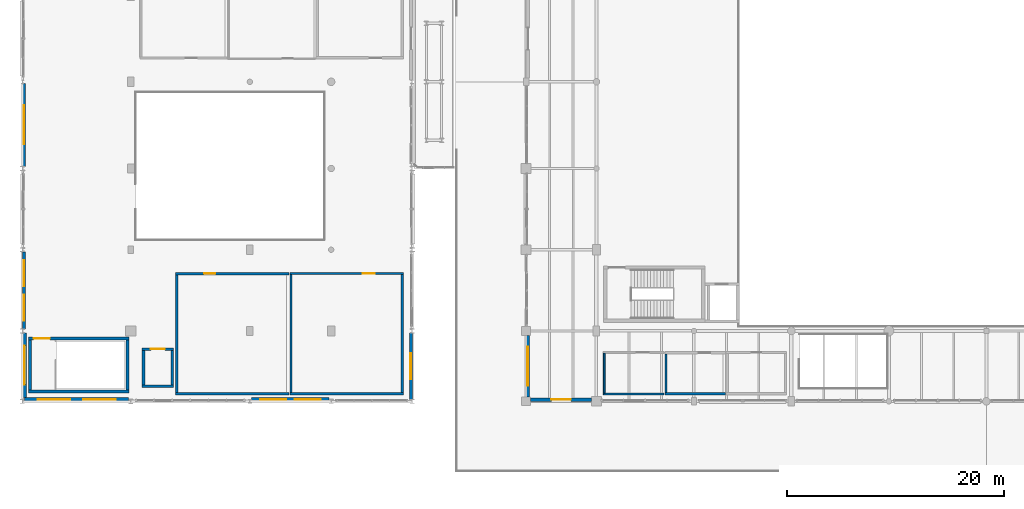
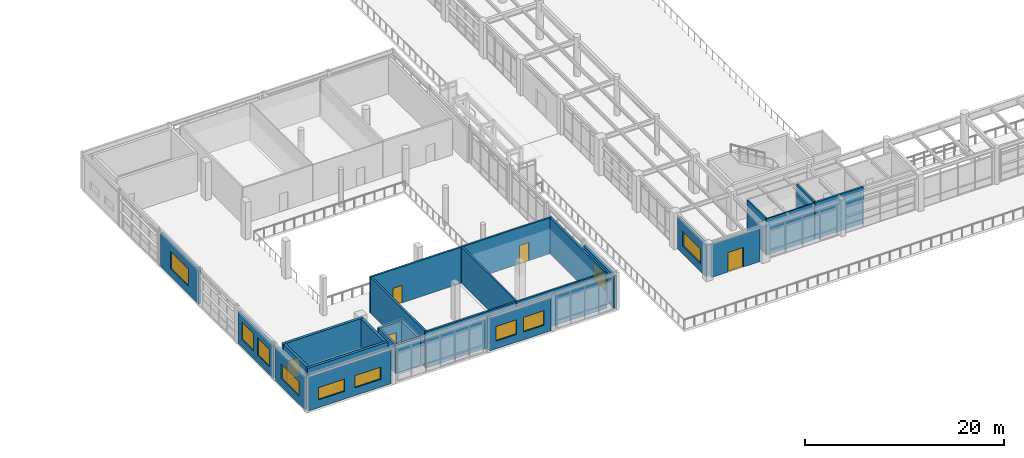
# One storey, part 171 of 200: 27 walls, 10 windows, 5 doors, 15 openings.
"""IFC4 building model written with IfcOpenShell, lengths in metres."""

from ifc_helpers import new_model, si_unit, direction, frame, frame_2d, origin, place, context, subcontext, project, spatial, rectangle, extrude, material, layer, layer_set, type_object, element, fill, save


model = new_model("IFC4")

# Units and contexts
model_context = context("Model", 3, precision=1e-05, world=origin(), true_north=direction((0.0, 1.0)))
body_context = subcontext(model_context, "Body", "Model", "MODEL_VIEW")
ifc_project = project(units=[si_unit("LENGTHUNIT", "METRE"), si_unit("AREAUNIT", "SQUARE_METRE"), si_unit("VOLUMEUNIT", "CUBIC_METRE"), si_unit("PLANEANGLEUNIT", "RADIAN"), si_unit("MASSUNIT", "GRAM", prefix="KILO"), si_unit("THERMODYNAMICTEMPERATUREUNIT", "KELVIN"), si_unit("POWERUNIT", "WATT")], contexts=[model_context])

# Site, building, storey
site_placement = place(None, origin())
site = spatial("IfcSite", under=ifc_project, at=site_placement, CompositionType="ELEMENT")
building_placement = place(site_placement, origin())
building = spatial("IfcBuilding", under=site, at=building_placement, Name="Tepalcoro Natatorium and Aquatics Centre", CompositionType="ELEMENT")
storey_placement = place(building_placement, frame((0.0, 0.0, 5.39990234375)))
storey = spatial("IfcBuildingStorey", under=building, at=storey_placement, Name="L01", CompositionType="ELEMENT", Elevation=5.39990234375)

# Wall, openings, windows
ifc_material_1 = material(Name="Precast Concrete C45/55 (fc 45 MPa)", Category="concrete")
ifc_layer_1 = layer(ifc_material_1, 0.260009765625)
ifc_layer_set_1 = layer_set([ifc_layer_1], Name="Precast Concrete C45/55 (fc 45 MPa)")
wall_type_1 = type_object("IfcWallType", Name="WL_EXT_GABLE_260", PredefinedType="SOLIDWALL", material=ifc_layer_set_1)
wall_1_placement = place(storey_placement, frame((0.1298828125, 13.19189453125, 0.0), z_axis=(0.0, 0.0, 1.0), x_axis=(0.0, 1.0, 0.0)))
wall_1 = element("IfcWall", 1, at=wall_1_placement, inside=storey, type_object=wall_type_1, Name="V3 L01 W Volcanic Basalt Envelope Wall", PredefinedType="SOLIDWALL", context=body_context, shape_type="SweptSolid", body=[
    extrude(rectangle(XDim=7.111083984375, YDim=0.260009765625, at=frame_2d((3.5556640625, 0.0))), origin(), (0.0, 0.0, 1.0), 3.9580078125),
])
opening_1_placement = place(wall_1_placement, frame((0.770263671875, 0.0, 0.949951171875)))
opening_1 = element("IfcOpeningElement", 2, at=opening_1_placement, cuts=wall_1, Name="Opening W0065A", PredefinedType="OPENING", context=body_context, shape_type="SweptSolid", body=[
    extrude(rectangle(XDim=2.39990234375, YDim=2.10009765625, at=frame_2d((1.199951171875, 1.050048828125))), frame((0.0, 0.14208984375, 0.0), z_axis=(0.0, -1.0, 0.0), x_axis=(1.0, 0.0, 0.0)), (0.0, 0.0, 1.0), 0.283935546875),
])
opening_2_placement = place(wall_1_placement, frame((3.940673828125, 0.0, 0.949951171875)))
opening_2 = element("IfcOpeningElement", 3, at=opening_2_placement, cuts=wall_1, Name="Opening W0065B", PredefinedType="OPENING", context=body_context, shape_type="SweptSolid", body=[
    extrude(rectangle(XDim=2.39990234375, YDim=2.10009765625, at=frame_2d((1.199951171875, 1.050048828125))), frame((0.0, 0.14208984375, 0.0), z_axis=(0.0, -1.0, 0.0), x_axis=(1.0, 0.0, 0.0)), (0.0, 0.0, 1.0), 0.283935546875),
])
ifc_material_2 = material(Name="Solar-Control Bronze Tempered Low-E Double Glazing", Category="glass")
window_type_1 = type_object("IfcWindowType", Name="WN_240x210", PartitioningType="SINGLE_PANEL", PredefinedType="WINDOW", material=ifc_material_2)
window_1_placement = place(opening_1_placement, origin())
window_1 = element("IfcWindow", 4, at=window_1_placement, inside=storey, type_object=window_type_1, Name="Exterior Thermal Window WN_240x210", OverallHeight=2.10009765625, OverallWidth=2.39990234375, PartitioningType="SINGLE_PANEL", PredefinedType="WINDOW", context=body_context, shape_type="SweptSolid", body=[
    extrude(rectangle(XDim=2.39990234375, YDim=2.10009765625, at=frame_2d((1.199951171875, 1.050048828125))), frame((0.0, 0.030029296875, 0.0), z_axis=(0.0, -1.0, 0.0), x_axis=(1.0, 0.0, 0.0)), (0.0, 0.0, 1.0), 0.06005859375),
])
fill(opening_1, window_1)
window_2_placement = place(opening_2_placement, origin())
window_2 = element("IfcWindow", 5, at=window_2_placement, inside=storey, type_object=window_type_1, Name="Exterior Thermal Window WN_240x210", OverallHeight=2.10009765625, OverallWidth=2.39990234375, PartitioningType="SINGLE_PANEL", PredefinedType="WINDOW", context=body_context, shape_type="SweptSolid", body=[
    extrude(rectangle(XDim=2.39990234375, YDim=2.10009765625, at=frame_2d((1.199951171875, 1.050048828125))), frame((0.0, 0.030029296875, 0.0), z_axis=(0.0, -1.0, 0.0), x_axis=(1.0, 0.0, 0.0)), (0.0, 0.0, 1.0), 0.06005859375),
])
fill(opening_2, window_2)

# Wall, opening, window
ifc_layer_2 = layer(ifc_material_1, 0.284912109375)
ifc_layer_set_2 = layer_set([ifc_layer_2], Name="Precast Concrete C45/55 (fc 45 MPa)")
wall_type_2 = type_object("IfcWallType", Name="WL_EXT_INSUL_280", PredefinedType="SOLIDWALL", material=ifc_layer_set_2)
wall_2_placement = place(storey_placement, frame((35.857421875, 6.68798828125, 0.0), z_axis=(0.0, 0.0, 1.0), x_axis=(0.0, 1.0, 0.0)))
wall_2 = element("IfcWall", 6, at=wall_2_placement, inside=storey, type_object=wall_type_2, Name="V3 L01 E Volcanic Basalt Envelope Wall", PredefinedType="SOLIDWALL", context=body_context, shape_type="SweptSolid", body=[
    extrude(rectangle(XDim=6.1201171875, YDim=0.284912109375, at=frame_2d((3.06005859375, 0.0))), origin(), (0.0, 0.0, 1.0), 4.0341796875),
])
opening_3_placement = place(wall_2_placement, frame((1.860107421875, 0.0, 0.949951171875)))
opening_3 = element("IfcOpeningElement", 7, at=opening_3_placement, cuts=wall_2, Name="Opening W0068", PredefinedType="OPENING", context=body_context, shape_type="SweptSolid", body=[
    extrude(rectangle(XDim=2.39990234375, YDim=2.10009765625, at=frame_2d((1.199951171875, 1.050048828125))), frame((0.0, 0.154296875, 0.0), z_axis=(0.0, -1.0, 0.0), x_axis=(1.0, 0.0, 0.0)), (0.0, 0.0, 1.0), 0.308837890625),
])
window_3_placement = place(opening_3_placement, origin())
window_3 = element("IfcWindow", 8, at=window_3_placement, inside=storey, type_object=window_type_1, Name="Exterior Thermal Window WN_240x210", OverallHeight=2.10009765625, OverallWidth=2.39990234375, PartitioningType="SINGLE_PANEL", PredefinedType="WINDOW", context=body_context, shape_type="SweptSolid", body=[
    extrude(rectangle(XDim=2.39990234375, YDim=2.10009765625, at=frame_2d((1.199951171875, 1.050048828125))), frame((0.0, 0.030029296875, 0.0), z_axis=(0.0, -1.0, 0.0), x_axis=(1.0, 0.0, 0.0)), (0.0, 0.0, 1.0), 0.06005859375),
])
fill(opening_3, window_3)

# Wall, opening, door
ifc_material_3 = material(Name="Jalisco Cantera Rosa Volcanic Tuff Ashlar Masonry", Category="masonry")
ifc_layer_3 = layer(ifc_material_3, 0.320068359375)
ifc_layer_set_3 = layer_set([ifc_layer_3], Name="Jalisco Cantera Rosa Volcanic Tuff Ashlar Masonry")
wall_type_3 = type_object("IfcWallType", Name="WL_EXT_STONE_320", PredefinedType="SOLIDWALL", material=ifc_layer_set_3)
wall_3_placement = place(storey_placement, frame((46.904052734375, 6.659912109375, 0.0), z_axis=(0.0, 0.0, 1.0), x_axis=(1.0, 0.0, 0.0)))
wall_3 = element("IfcWall", 9, at=wall_3_placement, inside=storey, type_object=wall_type_3, Name="V1 L01 S Volcanic Basalt Envelope Wall", PredefinedType="SOLIDWALL", context=body_context, shape_type="SweptSolid", body=[
    extrude(rectangle(XDim=5.641845703125, YDim=0.320068359375, at=frame_2d((2.82080078125, 0.0))), origin(), (0.0, 0.0, 1.0), 3.989990234375),
])
opening_4_placement = place(wall_3_placement, frame((1.9208984375, 0.0, 0.0)))
opening_4 = element("IfcOpeningElement", 10, at=opening_4_placement, cuts=wall_3, Name="Opening ED5009", PredefinedType="OPENING", context=body_context, shape_type="SweptSolid", body=[
    extrude(rectangle(XDim=1.800048828125, YDim=2.39990234375, at=frame_2d((0.89990234375, 1.199951171875))), frame((0.0, 0.171875, 0.0), z_axis=(0.0, -1.0, 0.0), x_axis=(1.0, 0.0, 0.0)), (0.0, 0.0, 1.0), 0.343994140625),
])
ifc_material_4 = material(Name="Bronze-Anodised Extruded Aluminium Alloy EN AW-6063 T6", Category="aluminium")
door_type_1 = type_object("IfcDoorType", Name="DR_180x240_TERR", OperationType="NOTDEFINED", PredefinedType="DOOR", material=ifc_material_4)
door_1_placement = place(opening_4_placement, frame((1.800048828125, 0.0, 0.0), z_axis=(0.0, 0.0, 1.0), x_axis=(-1.0, 0.0, 0.0)))
door_1 = element("IfcDoor", 11, at=door_1_placement, inside=storey, type_object=door_type_1, Name="L01 South Planted Terrace Door W", OperationType="DOUBLE_DOOR_SINGLE_SWING", OverallHeight=2.39990234375, OverallWidth=1.800048828125, PredefinedType="DOOR", context=body_context, shape_type="SweptSolid", body=[
    extrude(rectangle(XDim=1.800048828125, YDim=2.39990234375, at=frame_2d((0.89990234375, 1.199951171875))), frame((0.0, 0.02490234375, 0.0), z_axis=(0.0, -1.0, 0.0), x_axis=(1.0, 0.0, 0.0)), (0.0, 0.0, 1.0), 0.050048828125),
])
fill(opening_4, door_1)

# Wall, opening, window
wall_4_placement = place(storey_placement, frame((46.659912109375, 6.904052734375, 0.0), z_axis=(0.0, 0.0, 1.0), x_axis=(0.0, 1.0, 0.0)))
wall_4 = element("IfcWall", 12, at=wall_4_placement, inside=storey, type_object=wall_type_3, Name="V1 L01 W Volcanic Basalt Envelope Wall", PredefinedType="SOLIDWALL", context=body_context, shape_type="SweptSolid", body=[
    extrude(rectangle(XDim=5.6669921875, YDim=0.320068359375, at=frame_2d((2.83349609375, 0.0))), origin(), (0.0, 0.0, 1.0), 3.9140625),
])
opening_5_placement = place(wall_4_placement, frame((1.033447265625, 0.0, 0.949951171875)))
opening_5 = element("IfcOpeningElement", 13, at=opening_5_placement, cuts=wall_4, Name="Opening W0013", PredefinedType="OPENING", context=body_context, shape_type="SweptSolid", body=[
    extrude(rectangle(XDim=3.60009765625, YDim=1.800048828125, at=frame_2d((1.800048828125, 0.89990234375))), frame((0.0, 0.171875, 0.0), z_axis=(0.0, -1.0, 0.0), x_axis=(1.0, 0.0, 0.0)), (0.0, 0.0, 1.0), 0.343994140625),
])
window_type_2 = type_object("IfcWindowType", Name="WN_360x180", PartitioningType="SINGLE_PANEL", PredefinedType="WINDOW", material=ifc_material_2)
window_4_placement = place(opening_5_placement, origin())
window_4 = element("IfcWindow", 14, at=window_4_placement, inside=storey, type_object=window_type_2, Name="Exterior Thermal Window WN_360x180", OverallHeight=1.800048828125, OverallWidth=3.60009765625, PartitioningType="SINGLE_PANEL", PredefinedType="WINDOW", context=body_context, shape_type="SweptSolid", body=[
    extrude(rectangle(XDim=3.60009765625, YDim=1.800048828125, at=frame_2d((1.800048828125, 0.89990234375))), frame((0.0, 0.030029296875, 0.0), z_axis=(0.0, -1.0, 0.0), x_axis=(1.0, 0.0, 0.0)), (0.0, 0.0, 1.0), 0.06005859375),
])
fill(opening_5, window_4)

# Wall, openings, windows
ifc_material_5 = material(Name="Volcanic Recinto Basalt Ashlar Masonry", Category="masonry")
ifc_layer_4 = layer(ifc_material_5, 0.360107421875)
ifc_layer_set_4 = layer_set([ifc_layer_4], Name="Volcanic Recinto Basalt Ashlar Masonry")
wall_type_4 = type_object("IfcWallType", Name="WL_EXT_STONE_350", PredefinedType="SOLIDWALL", material=ifc_layer_set_4)
wall_5_placement = place(storey_placement, frame((0.1904296875, 6.679931640625, 0.0), z_axis=(0.0, 0.0, 1.0), x_axis=(1.0, 0.0, 0.0)))
wall_5 = element("IfcWall", 15, at=wall_5_placement, inside=storey, type_object=wall_type_4, Name="V3 L01 S Volcanic Basalt Envelope Wall", PredefinedType="SOLIDWALL", context=body_context, shape_type="SweptSolid", body=[
    extrude(rectangle(XDim=9.60498046875, YDim=0.360107421875, at=frame_2d((4.802490234375, 0.0))), origin(), (0.0, 0.0, 1.0), 4.110107421875),
])
opening_6_placement = place(wall_5_placement, frame((1.20166015625, 0.0, 0.949951171875)))
opening_6 = element("IfcOpeningElement", 16, at=opening_6_placement, cuts=wall_5, Name="Opening W0060A", PredefinedType="OPENING", context=body_context, shape_type="SweptSolid", body=[
    extrude(rectangle(XDim=3.0, YDim=1.5, at=frame_2d((1.5, 0.75))), frame((0.0, 0.19189453125, 0.0), z_axis=(0.0, -1.0, 0.0), x_axis=(1.0, 0.0, 0.0)), (0.0, 0.0, 1.0), 0.384033203125),
])
opening_7_placement = place(wall_5_placement, frame((5.4033203125, 0.0, 0.949951171875)))
opening_7 = element("IfcOpeningElement", 17, at=opening_7_placement, cuts=wall_5, Name="Opening W0060B", PredefinedType="OPENING", context=body_context, shape_type="SweptSolid", body=[
    extrude(rectangle(XDim=3.0, YDim=1.5, at=frame_2d((1.5, 0.75))), frame((0.0, 0.19189453125, 0.0), z_axis=(0.0, -1.0, 0.0), x_axis=(1.0, 0.0, 0.0)), (0.0, 0.0, 1.0), 0.384033203125),
])
window_type_3 = type_object("IfcWindowType", Name="WN_300x150", PartitioningType="SINGLE_PANEL", PredefinedType="WINDOW", material=ifc_material_2)
window_5_placement = place(opening_6_placement, origin())
window_5 = element("IfcWindow", 18, at=window_5_placement, inside=storey, type_object=window_type_3, Name="Exterior Thermal Window WN_300x150", OverallHeight=1.5, OverallWidth=3.0, PartitioningType="SINGLE_PANEL", PredefinedType="WINDOW", context=body_context, shape_type="SweptSolid", body=[
    extrude(rectangle(XDim=3.0, YDim=1.5, at=frame_2d((1.5, 0.75))), frame((0.0, 0.030029296875, 0.0), z_axis=(0.0, -1.0, 0.0), x_axis=(1.0, 0.0, 0.0)), (0.0, 0.0, 1.0), 0.06005859375),
])
fill(opening_6, window_5)
window_6_placement = place(opening_7_placement, origin())
window_6 = element("IfcWindow", 19, at=window_6_placement, inside=storey, type_object=window_type_3, Name="Exterior Thermal Window WN_300x150", OverallHeight=1.5, OverallWidth=3.0, PartitioningType="SINGLE_PANEL", PredefinedType="WINDOW", context=body_context, shape_type="SweptSolid", body=[
    extrude(rectangle(XDim=3.0, YDim=1.5, at=frame_2d((1.5, 0.75))), frame((0.0, 0.030029296875, 0.0), z_axis=(0.0, -1.0, 0.0), x_axis=(1.0, 0.0, 0.0)), (0.0, 0.0, 1.0), 0.06005859375),
])
fill(opening_7, window_6)

wall_6_placement = place(storey_placement, frame((21.158935546875, 6.679931640625, 0.0), z_axis=(0.0, 0.0, 1.0), x_axis=(1.0, 0.0, 0.0)))
wall_6 = element("IfcWall", 20, at=wall_6_placement, inside=storey, type_object=wall_type_4, Name="V3 L01 S Volcanic Basalt Envelope Wall", PredefinedType="SOLIDWALL", context=body_context, shape_type="SweptSolid", body=[
    extrude(rectangle(XDim=7.150146484375, YDim=0.360107421875, at=frame_2d((3.5751953125, 0.0))), origin(), (0.0, 0.0, 1.0), 3.9580078125),
])
opening_8_placement = place(wall_6_placement, frame((0.783203125, 0.0, 0.949951171875)))
opening_8 = element("IfcOpeningElement", 21, at=opening_8_placement, cuts=wall_6, Name="Opening W0061A", PredefinedType="OPENING", context=body_context, shape_type="SweptSolid", body=[
    extrude(rectangle(XDim=2.39990234375, YDim=1.800048828125, at=frame_2d((1.199951171875, 0.89990234375))), frame((0.0, 0.19189453125, 0.0), z_axis=(0.0, -1.0, 0.0), x_axis=(1.0, 0.0, 0.0)), (0.0, 0.0, 1.0), 0.384033203125),
])
opening_9_placement = place(wall_6_placement, frame((3.966796875, 0.0, 0.949951171875)))
opening_9 = element("IfcOpeningElement", 22, at=opening_9_placement, cuts=wall_6, Name="Opening W0061B", PredefinedType="OPENING", context=body_context, shape_type="SweptSolid", body=[
    extrude(rectangle(XDim=2.39990234375, YDim=1.800048828125, at=frame_2d((1.199951171875, 0.89990234375))), frame((0.0, 0.19189453125, 0.0), z_axis=(0.0, -1.0, 0.0), x_axis=(1.0, 0.0, 0.0)), (0.0, 0.0, 1.0), 0.384033203125),
])
window_type_4 = type_object("IfcWindowType", Name="WN_240x180", PartitioningType="SINGLE_PANEL", PredefinedType="WINDOW", material=ifc_material_2)
window_7_placement = place(opening_8_placement, origin())
window_7 = element("IfcWindow", 23, at=window_7_placement, inside=storey, type_object=window_type_4, Name="Exterior Thermal Window WN_240x180", OverallHeight=1.800048828125, OverallWidth=2.39990234375, PartitioningType="SINGLE_PANEL", PredefinedType="WINDOW", context=body_context, shape_type="SweptSolid", body=[
    extrude(rectangle(XDim=2.39990234375, YDim=1.800048828125, at=frame_2d((1.199951171875, 0.89990234375))), frame((0.0, 0.030029296875, 0.0), z_axis=(0.0, -1.0, 0.0), x_axis=(1.0, 0.0, 0.0)), (0.0, 0.0, 1.0), 0.06005859375),
])
fill(opening_8, window_7)
window_8_placement = place(opening_9_placement, origin())
window_8 = element("IfcWindow", 24, at=window_8_placement, inside=storey, type_object=window_type_4, Name="Exterior Thermal Window WN_240x180", OverallHeight=1.800048828125, OverallWidth=2.39990234375, PartitioningType="SINGLE_PANEL", PredefinedType="WINDOW", context=body_context, shape_type="SweptSolid", body=[
    extrude(rectangle(XDim=2.39990234375, YDim=1.800048828125, at=frame_2d((1.199951171875, 0.89990234375))), frame((0.0, 0.030029296875, 0.0), z_axis=(0.0, -1.0, 0.0), x_axis=(1.0, 0.0, 0.0)), (0.0, 0.0, 1.0), 0.06005859375),
])
fill(opening_9, window_8)

# Wall, opening, window
wall_7_placement = place(storey_placement, frame((0.179931640625, 6.864013671875, 0.0), z_axis=(0.0, 0.0, 1.0), x_axis=(0.0, 1.0, 0.0)))
wall_7 = element("IfcWall", 25, at=wall_7_placement, inside=storey, type_object=wall_type_4, Name="V3 L01 W Volcanic Basalt Envelope Wall", PredefinedType="SOLIDWALL", context=body_context, shape_type="SweptSolid", body=[
    extrude(rectangle(XDim=5.944091796875, YDim=0.360107421875, at=frame_2d((2.97216796875, 0.0))), origin(), (0.0, 0.0, 1.0), 4.0341796875),
])
opening_10_placement = place(wall_7_placement, frame((1.172119140625, 0.0, 0.949951171875)))
opening_10 = element("IfcOpeningElement", 26, at=opening_10_placement, cuts=wall_7, Name="Opening W0064", PredefinedType="OPENING", context=body_context, shape_type="SweptSolid", body=[
    extrude(rectangle(XDim=3.60009765625, YDim=1.800048828125, at=frame_2d((1.800048828125, 0.89990234375))), frame((0.0, 0.19189453125, 0.0), z_axis=(0.0, -1.0, 0.0), x_axis=(1.0, 0.0, 0.0)), (0.0, 0.0, 1.0), 0.384033203125),
])
window_9_placement = place(opening_10_placement, origin())
window_9 = element("IfcWindow", 27, at=window_9_placement, inside=storey, type_object=window_type_2, Name="Exterior Thermal Window WN_360x180", OverallHeight=1.800048828125, OverallWidth=3.60009765625, PartitioningType="SINGLE_PANEL", PredefinedType="WINDOW", context=body_context, shape_type="SweptSolid", body=[
    extrude(rectangle(XDim=3.60009765625, YDim=1.800048828125, at=frame_2d((1.800048828125, 0.89990234375))), frame((0.0, 0.030029296875, 0.0), z_axis=(0.0, -1.0, 0.0), x_axis=(1.0, 0.0, 0.0)), (0.0, 0.0, 1.0), 0.06005859375),
])
fill(opening_10, window_9)

ifc_layer_5 = layer(ifc_material_3, 0.304931640625)
ifc_layer_set_5 = layer_set([ifc_layer_5], Name="Jalisco Cantera Rosa Volcanic Tuff Ashlar Masonry")
wall_type_5 = type_object("IfcWallType", Name="WL_EXT_TERRACOTTA_300", PredefinedType="SOLIDWALL", material=ifc_layer_set_5)
wall_8_placement = place(storey_placement, frame((0.152587890625, 28.20361328125, 0.0), z_axis=(0.0, 0.0, 1.0), x_axis=(0.0, 1.0, 0.0)))
wall_8 = element("IfcWall", 28, at=wall_8_placement, inside=storey, type_object=wall_type_5, Name="V3 L01 W Volcanic Basalt Envelope Wall", PredefinedType="SOLIDWALL", context=body_context, shape_type="SweptSolid", body=[
    extrude(rectangle(XDim=7.638916015625, YDim=0.304931640625, at=frame_2d((3.8193359375, 0.0))), origin(), (0.0, 0.0, 1.0), 4.110107421875),
])
opening_11_placement = place(wall_8_placement, frame((2.01953125, 0.0, 0.949951171875)))
opening_11 = element("IfcOpeningElement", 29, at=opening_11_placement, cuts=wall_8, Name="Opening W0066", PredefinedType="OPENING", context=body_context, shape_type="SweptSolid", body=[
    extrude(rectangle(XDim=3.60009765625, YDim=2.10009765625, at=frame_2d((1.800048828125, 1.050048828125))), frame((0.0, 0.16455078125, 0.0), z_axis=(0.0, -1.0, 0.0), x_axis=(1.0, 0.0, 0.0)), (0.0, 0.0, 1.0), 0.328857421875),
])
window_type_5 = type_object("IfcWindowType", Name="WN_360x210", PartitioningType="SINGLE_PANEL", PredefinedType="WINDOW", material=ifc_material_2)
window_10_placement = place(opening_11_placement, origin())
window_10 = element("IfcWindow", 30, at=window_10_placement, inside=storey, type_object=window_type_5, Name="Exterior Thermal Window WN_360x210", OverallHeight=2.10009765625, OverallWidth=3.60009765625, PartitioningType="SINGLE_PANEL", PredefinedType="WINDOW", context=body_context, shape_type="SweptSolid", body=[
    extrude(rectangle(XDim=3.60009765625, YDim=2.10009765625, at=frame_2d((1.800048828125, 1.050048828125))), frame((0.0, 0.030029296875, 0.0), z_axis=(0.0, -1.0, 0.0), x_axis=(1.0, 0.0, 0.0)), (0.0, 0.0, 1.0), 0.06005859375),
])
fill(opening_11, window_10)

# Walls
ifc_material_6 = material(Name="Moisture-Resistant Acoustic Gypsum Drywall on Cold-Formed Metal Studs")
ifc_layer_6 = layer(ifc_material_6, 0.14990234375)
ifc_layer_set_6 = layer_set([ifc_layer_6], Name="Moisture-Resistant Acoustic Gypsum Drywall on Cold-Formed Metal Studs")
wall_type_6 = type_object("IfcWallType", Name="WL_PART_150_AC", PredefinedType="PARTITIONING", material=ifc_layer_set_6)
wall_9_placement = place(storey_placement, frame((53.639892578125, 7.175048828125, 0.0), z_axis=(0.0, 0.0, 1.0), x_axis=(1.0, 0.0, 0.0)))
element("IfcWall", 31, at=wall_9_placement, inside=storey, type_object=wall_type_6, Name="South Concourse Refreshment Kiosk West Partition S", PredefinedType="PARTITIONING", context=body_context, shape_type="SweptSolid", body=[
    extrude(rectangle(XDim=5.587158203125, YDim=0.14990234375, at=frame_2d((2.79345703125, 0.0))), origin(), (0.0, 0.0, 1.0), 4.465087890625),
])
wall_10_placement = place(storey_placement, frame((53.715087890625, 7.25, 0.0), z_axis=(0.0, 0.0, 1.0), x_axis=(0.0, 1.0, 0.0)))
element("IfcWall", 32, at=wall_10_placement, inside=storey, type_object=wall_type_6, Name="South Concourse Refreshment Kiosk West Partition W", PredefinedType="PARTITIONING", context=body_context, shape_type="SweptSolid", body=[
    extrude(rectangle(XDim=3.699951171875, YDim=0.14990234375, at=frame_2d((1.85009765625, 0.0))), origin(), (0.0, 0.0, 1.0), 4.465087890625),
])
ifc_material_7 = material(Name="Ceramic-Tiled Moisture-Resistant Masonry Blockwork", Category="masonry")
ifc_layer_7 = layer(ifc_material_7, 0.199951171875)
ifc_layer_set_7 = layer_set([ifc_layer_7], Name="Ceramic-Tiled Moisture-Resistant Masonry Blockwork")
wall_type_7 = type_object("IfcWallType", Name="WL_PLUMB_200", PredefinedType="PLUMBINGWALL", material=ifc_layer_set_7)
wall_11_placement = place(storey_placement, frame((24.68994140625, 7.199951171875, 0.0), z_axis=(0.0, 0.0, 1.0), x_axis=(1.0, 0.0, 0.0)))
element("IfcWall", 33, at=wall_11_placement, inside=storey, type_object=wall_type_7, Name="Herbal Tepidarium & Cold Plunge Relaxation Hall Partition S", PredefinedType="PLUMBINGWALL", context=body_context, shape_type="SweptSolid", body=[
    extrude(rectangle(XDim=10.469970703125, YDim=0.199951171875, at=frame_2d((5.23486328125, 0.0))), origin(), (0.0, 0.0, 1.0), 4.43505859375),
])

# Wall, opening, door
wall_12_placement = place(storey_placement, frame((24.68994140625, 18.300048828125, 0.0), z_axis=(0.0, 0.0, 1.0), x_axis=(1.0, 0.0, 0.0)))
wall_12 = element("IfcWall", 34, at=wall_12_placement, inside=storey, type_object=wall_type_7, Name="Herbal Tepidarium & Cold Plunge Relaxation Hall Partition N", PredefinedType="PLUMBINGWALL", context=body_context, shape_type="SweptSolid", body=[
    extrude(rectangle(XDim=10.469970703125, YDim=0.199951171875, at=frame_2d((5.23486328125, 0.0))), origin(), (0.0, 0.0, 1.0), 4.43505859375),
])
opening_12_placement = place(wall_12_placement, frame((6.75244140625, 0.0, 0.0)))
opening_12 = element("IfcOpeningElement", 35, at=opening_12_placement, cuts=wall_12, Name="Opening D0131", PredefinedType="OPENING", context=body_context, shape_type="SweptSolid", body=[
    extrude(rectangle(XDim=1.10009765625, YDim=2.25, at=frame_2d((0.550048828125, 1.125))), frame((0.0, 0.11181640625, 0.0), z_axis=(0.0, -1.0, 0.0), x_axis=(1.0, 0.0, 0.0)), (0.0, 0.0, 1.0), 0.223876953125),
])
ifc_material_8 = material(Name="Solid-Core Moisture-Sealed Oak Timber Leaf in Aluminium Frame", Category="wood")
door_type_2 = type_object("IfcDoorType", Name="DR_110x225", OperationType="NOTDEFINED", PredefinedType="DOOR", material=ifc_material_8)
door_2_placement = place(opening_12_placement, frame((1.10009765625, 0.0, 0.0), z_axis=(0.0, 0.0, 1.0), x_axis=(-1.0, 0.0, 0.0)))
door_2 = element("IfcDoor", 36, at=door_2_placement, inside=storey, type_object=door_type_2, Name="Herbal Tepidarium & Cold Plunge Relaxation Hall Door", OperationType="SINGLE_SWING_RIGHT", OverallHeight=2.25, OverallWidth=1.10009765625, PredefinedType="DOOR", context=body_context, shape_type="SweptSolid", body=[
    extrude(rectangle(XDim=1.10009765625, YDim=2.25, at=frame_2d((0.550048828125, 1.125))), frame((0.0, 0.02490234375, 0.0), z_axis=(0.0, -1.0, 0.0), x_axis=(1.0, 0.0, 0.0)), (0.0, 0.0, 1.0), 0.050048828125),
])
fill(opening_12, door_2)

# Walls
for number, where, z_axis, x_axis, name in (
    (37, (35.06005859375, 7.300048828125, 0.0), (0.0, 0.0, 1.0), (0.0, 1.0, 0.0), "Herbal Tepidarium & Cold Plunge Relaxation Hall Partition E"),
    (38, (24.7900390625, 7.300048828125, 0.0), (0.0, 0.0, 1.0), (0.0, 1.0, 0.0), "Herbal Tepidarium & Cold Plunge Relaxation Hall Partition W"),
):
    element("IfcWall", number, at=place(storey_placement, frame(where, z_axis=z_axis, x_axis=x_axis)), inside=storey, type_object=wall_type_7, Name=name, PredefinedType="PLUMBINGWALL", context=body_context, shape_type="SweptSolid", body=[
        extrude(rectangle(XDim=10.89990234375, YDim=0.199951171875, at=frame_2d((5.449951171875, 0.0))), origin(), (0.0, 0.0, 1.0), 4.43505859375),
    ])
ifc_layer_8 = layer(ifc_material_7, 0.219970703125)
ifc_layer_set_8 = layer_set([ifc_layer_8], Name="Ceramic-Tiled Moisture-Resistant Masonry Blockwork")
wall_type_8 = type_object("IfcWallType", Name="WL_PLUMB_220", PredefinedType="PLUMBINGWALL", material=ifc_layer_set_8)
wall_13_placement = place(storey_placement, frame((59.306884765625, 7.2099609375, 0.0), z_axis=(0.0, 0.0, 1.0), x_axis=(1.0, 0.0, 0.0)))
element("IfcWall", 39, at=wall_13_placement, inside=storey, type_object=wall_type_8, Name="Spectator Male & Female Toilets SW Partition S", PredefinedType="PLUMBINGWALL", context=body_context, shape_type="SweptSolid", body=[
    extrude(rectangle(XDim=5.586181640625, YDim=0.219970703125, at=frame_2d((2.79296875, 0.0))), origin(), (0.0, 0.0, 1.0), 4.465087890625),
])
wall_14_placement = place(storey_placement, frame((59.4169921875, 7.320068359375, 0.0), z_axis=(0.0, 0.0, 1.0), x_axis=(0.0, 1.0, 0.0)))
element("IfcWall", 40, at=wall_14_placement, inside=storey, type_object=wall_type_8, Name="Spectator Male & Female Toilets SW Partition W", PredefinedType="PLUMBINGWALL", context=body_context, shape_type="SweptSolid", body=[
    extrude(rectangle(XDim=3.559814453125, YDim=0.219970703125, at=frame_2d((1.77978515625, 0.0))), origin(), (0.0, 0.0, 1.0), 4.465087890625),
])
wall_15_placement = place(storey_placement, frame((14.139892578125, 7.2099609375, 0.0), z_axis=(0.0, 0.0, 1.0), x_axis=(1.0, 0.0, 0.0)))
element("IfcWall", 41, at=wall_15_placement, inside=storey, type_object=wall_type_8, Name="Thermal Bathhouse Volcanic Steam & Sauna Suite Partition S", PredefinedType="PLUMBINGWALL", context=body_context, shape_type="SweptSolid", body=[
    extrude(rectangle(XDim=10.47021484375, YDim=0.219970703125, at=frame_2d((5.235107421875, 0.0))), origin(), (0.0, 0.0, 1.0), 4.43505859375),
])

# Wall, opening, door
wall_16_placement = place(storey_placement, frame((14.139892578125, 18.2900390625, 0.0), z_axis=(0.0, 0.0, 1.0), x_axis=(1.0, 0.0, 0.0)))
wall_16 = element("IfcWall", 42, at=wall_16_placement, inside=storey, type_object=wall_type_8, Name="Thermal Bathhouse Volcanic Steam & Sauna Suite Partition N", PredefinedType="PLUMBINGWALL", context=body_context, shape_type="SweptSolid", body=[
    extrude(rectangle(XDim=10.47021484375, YDim=0.219970703125, at=frame_2d((5.235107421875, 0.0))), origin(), (0.0, 0.0, 1.0), 4.43505859375),
])
opening_13_placement = place(wall_16_placement, frame((2.6298828125, 0.0, 0.0)))
opening_13 = element("IfcOpeningElement", 43, at=opening_13_placement, cuts=wall_16, Name="Opening D0130", PredefinedType="OPENING", context=body_context, shape_type="SweptSolid", body=[
    extrude(rectangle(XDim=1.050048828125, YDim=2.14990234375, at=frame_2d((0.52490234375, 1.074951171875))), frame((0.0, 0.1220703125, 0.0), z_axis=(0.0, -1.0, 0.0), x_axis=(1.0, 0.0, 0.0)), (0.0, 0.0, 1.0), 0.243896484375),
])
door_type_3 = type_object("IfcDoorType", Name="DR_105x215_ACC", OperationType="NOTDEFINED", PredefinedType="DOOR", material=ifc_material_8)
door_3_placement = place(opening_13_placement, frame((1.050048828125, 0.0, 0.0), z_axis=(0.0, 0.0, 1.0), x_axis=(-1.0, 0.0, 0.0)))
door_3 = element("IfcDoor", 44, at=door_3_placement, inside=storey, type_object=door_type_3, Name="Thermal Bathhouse Volcanic Steam & Sauna Suite Door", OperationType="SINGLE_SWING_LEFT", OverallHeight=2.14990234375, OverallWidth=1.050048828125, PredefinedType="DOOR", context=body_context, shape_type="SweptSolid", body=[
    extrude(rectangle(XDim=1.050048828125, YDim=2.14990234375, at=frame_2d((0.52490234375, 1.074951171875))), frame((0.0, 0.02490234375, 0.0), z_axis=(0.0, -1.0, 0.0), x_axis=(1.0, 0.0, 0.0)), (0.0, 0.0, 1.0), 0.050048828125),
])
fill(opening_13, door_3)

# Walls
wall_17_placement = place(storey_placement, frame((14.25, 7.320068359375, 0.0), z_axis=(0.0, 0.0, 1.0), x_axis=(0.0, 1.0, 0.0)))
element("IfcWall", 45, at=wall_17_placement, inside=storey, type_object=wall_type_8, Name="Thermal Bathhouse Volcanic Steam & Sauna Suite Partition W", PredefinedType="PLUMBINGWALL", context=body_context, shape_type="SweptSolid", body=[
    extrude(rectangle(XDim=10.85986328125, YDim=0.219970703125, at=frame_2d((5.429931640625, 0.0))), origin(), (0.0, 0.0, 1.0), 4.43505859375),
])
ifc_material_9 = material(Name="Concrete C40/50 (fc 40 MPa)", Category="concrete")
ifc_layer_9 = layer(ifc_material_9, 0.239990234375)
ifc_layer_set_9 = layer_set([ifc_layer_9], Name="Concrete C40/50 (fc 40 MPa)")
wall_type_9 = type_object("IfcWallType", Name="WL_SHAFT_240", PredefinedType="SOLIDWALL", material=ifc_layer_set_9)
wall_18_placement = place(storey_placement, frame((11.06005859375, 7.8798828125, 0.0), z_axis=(0.0, 0.0, 1.0), x_axis=(1.0, 0.0, 0.0)))
element("IfcWall", 46, at=wall_18_placement, inside=storey, type_object=wall_type_9, Name="LF03 Lift Shaft Wall S L01", PredefinedType="SOLIDWALL", context=body_context, shape_type="SweptSolid", body=[
    extrude(rectangle(XDim=2.8798828125, YDim=0.239990234375, at=frame_2d((1.43994140625, 0.0))), origin(), (0.0, 0.0, 1.0), 3.4501953125),
])

# Wall, opening, door
wall_19_placement = place(storey_placement, frame((11.06005859375, 11.320068359375, 0.0), z_axis=(0.0, 0.0, 1.0), x_axis=(1.0, 0.0, 0.0)))
wall_19 = element("IfcWall", 47, at=wall_19_placement, inside=storey, type_object=wall_type_9, Name="LF03 Lift Shaft Wall N L01", PredefinedType="SOLIDWALL", context=body_context, shape_type="SweptSolid", body=[
    extrude(rectangle(XDim=2.8798828125, YDim=0.239990234375, at=frame_2d((1.43994140625, 0.0))), origin(), (0.0, 0.0, 1.0), 3.4501953125),
])
opening_14_placement = place(wall_19_placement, frame((0.7900390625, 0.0, 0.0)))
opening_14 = element("IfcOpeningElement", 48, at=opening_14_placement, cuts=wall_19, Name="Opening LD-LF03-L01", PredefinedType="OPENING", context=body_context, shape_type="SweptSolid", body=[
    extrude(rectangle(XDim=1.300048828125, YDim=2.25, at=frame_2d((0.64990234375, 1.125))), frame((0.0, 0.1318359375, 0.0), z_axis=(0.0, -1.0, 0.0), x_axis=(1.0, 0.0, 0.0)), (0.0, 0.0, 1.0), 0.263916015625),
])
ifc_material_10 = material(Name="Marine-Grade Brushed Stainless Steel AISI 316L", Category="steel")
door_type_4 = type_object("IfcDoorType", Name="DR_130x225_LIFT", OperationType="NOTDEFINED", PredefinedType="USERDEFINED", material=ifc_material_10)
door_4_placement = place(opening_14_placement, origin())
door_4 = element("IfcDoor", 49, at=door_4_placement, inside=storey, type_object=door_type_4, Name="LF03 Lift Landing Sliding Door (L01)", ObjectType="SLIDING LANDING DOOR", OperationType="SLIDING_TO_RIGHT", OverallHeight=2.25, OverallWidth=1.300048828125, PredefinedType="USERDEFINED", context=body_context, shape_type="SweptSolid", body=[
    extrude(rectangle(XDim=1.300048828125, YDim=2.25, at=frame_2d((0.64990234375, 1.125))), frame((0.0, 0.02490234375, 0.0), z_axis=(0.0, -1.0, 0.0), x_axis=(1.0, 0.0, 0.0)), (0.0, 0.0, 1.0), 0.050048828125),
])
fill(opening_14, door_4)

# Walls
for number, where, z_axis, x_axis, name in (
    (50, (11.179931640625, 8.0, 0.0), (0.0, 0.0, 1.0), (0.0, 1.0, 0.0), "LF03 Lift Shaft Wall W L01"),
    (51, (13.820068359375, 8.0, 0.0), (0.0, 0.0, 1.0), (0.0, 1.0, 0.0), "LF03 Lift Shaft Wall E L01"),
):
    element("IfcWall", number, at=place(storey_placement, frame(where, z_axis=z_axis, x_axis=x_axis)), inside=storey, type_object=wall_type_9, Name=name, PredefinedType="SOLIDWALL", context=body_context, shape_type="SweptSolid", body=[
        extrude(rectangle(XDim=3.199951171875, YDim=0.239990234375, at=frame_2d((1.60009765625, 0.0))), origin(), (0.0, 0.0, 1.0), 3.4501953125),
    ])
ifc_layer_10 = layer(ifc_material_9, 0.300048828125)
ifc_layer_set_10 = layer_set([ifc_layer_10], Name="Concrete C40/50 (fc 40 MPa)")
wall_type_10 = type_object("IfcWallType", Name="WL_SHEAR_300", PredefinedType="SHEAR", material=ifc_layer_set_10)
wall_20_placement = place(storey_placement, frame((0.550048828125, 7.39990234375, 0.0), z_axis=(0.0, 0.0, 1.0), x_axis=(1.0, 0.0, 0.0)))
element("IfcWall", 52, at=wall_20_placement, inside=storey, type_object=wall_type_10, Name="ST05 Core Shear Wall S L01", PredefinedType="SHEAR", context=body_context, shape_type="SweptSolid", body=[
    extrude(rectangle(XDim=9.300048828125, YDim=0.300048828125, at=frame_2d((4.64990234375, 0.0))), origin(), (0.0, 0.0, 1.0), 4.635009765625),
])

# Wall, opening, door
wall_21_placement = place(storey_placement, frame((0.550048828125, 12.300048828125, 0.0), z_axis=(0.0, 0.0, 1.0), x_axis=(1.0, 0.0, 0.0)))
wall_21 = element("IfcWall", 53, at=wall_21_placement, inside=storey, type_object=wall_type_10, Name="ST05 Core Shear Wall N L01", PredefinedType="SHEAR", context=body_context, shape_type="SweptSolid", body=[
    extrude(rectangle(XDim=9.300048828125, YDim=0.300048828125, at=frame_2d((4.64990234375, 0.0))), origin(), (0.0, 0.0, 1.0), 4.635009765625),
])
opening_15_placement = place(wall_21_placement, frame((0.47998046875, 0.0, 0.0)))
opening_15 = element("IfcOpeningElement", 54, at=opening_15_placement, cuts=wall_21, Name="Opening D0022", PredefinedType="OPENING", context=body_context, shape_type="SweptSolid", body=[
    extrude(rectangle(XDim=1.5, YDim=2.300048828125, at=frame_2d((0.75, 1.14990234375))), frame((0.0, 0.162109375, 0.0), z_axis=(0.0, -1.0, 0.0), x_axis=(1.0, 0.0, 0.0)), (0.0, 0.0, 1.0), 0.323974609375),
])
ifc_material_11 = material(Name="Galvanised Steel Insulated Acoustic Fire Door Assembly", Category="steel")
door_type_5 = type_object("IfcDoorType", Name="DR_150x230_FD60", OperationType="NOTDEFINED", PredefinedType="DOOR", material=ifc_material_11)
door_5_placement = place(opening_15_placement, frame((1.5, 0.0, 0.0), z_axis=(0.0, 0.0, 1.0), x_axis=(-1.0, 0.0, 0.0)))
door_5 = element("IfcDoor", 55, at=door_5_placement, inside=storey, type_object=door_type_5, Name="ST05 Fire Stair Door (L01)", OperationType="DOUBLE_DOOR_SINGLE_SWING", OverallHeight=2.300048828125, OverallWidth=1.5, PredefinedType="DOOR", context=body_context, shape_type="SweptSolid", body=[
    extrude(rectangle(XDim=1.5, YDim=2.300048828125, at=frame_2d((0.75, 1.14990234375))), frame((0.0, 0.02490234375, 0.0), z_axis=(0.0, -1.0, 0.0), x_axis=(1.0, 0.0, 0.0)), (0.0, 0.0, 1.0), 0.050048828125),
])
fill(opening_15, door_5)

# Walls
for number, where, z_axis, x_axis, name in (
    (56, (0.699951171875, 7.550048828125, 0.0), (0.0, 0.0, 1.0), (0.0, 1.0, 0.0), "ST05 Core Shear Wall W L01"),
    (57, (9.699951171875, 7.550048828125, 0.0), (0.0, 0.0, 1.0), (0.0, 1.0, 0.0), "ST05 Core Shear Wall E L01"),
):
    element("IfcWall", number, at=place(storey_placement, frame(where, z_axis=z_axis, x_axis=x_axis)), inside=storey, type_object=wall_type_10, Name=name, PredefinedType="SHEAR", context=body_context, shape_type="SweptSolid", body=[
        extrude(rectangle(XDim=4.599853515625, YDim=0.300048828125, at=frame_2d((2.2998046875, 0.0))), origin(), (0.0, 0.0, 1.0), 4.635009765625),
    ])

save(model, "model.ifc")
